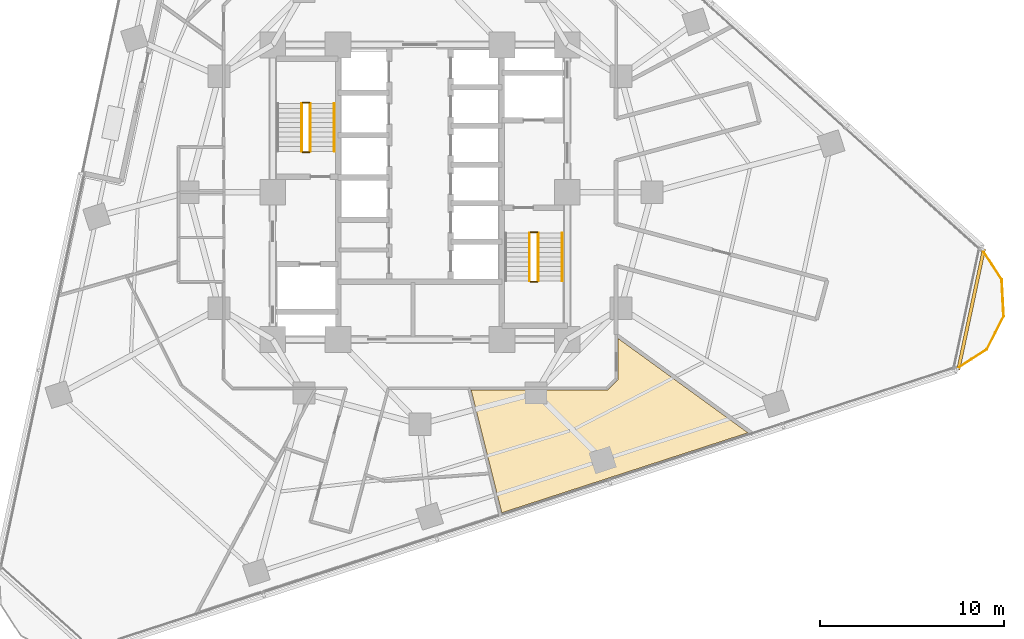
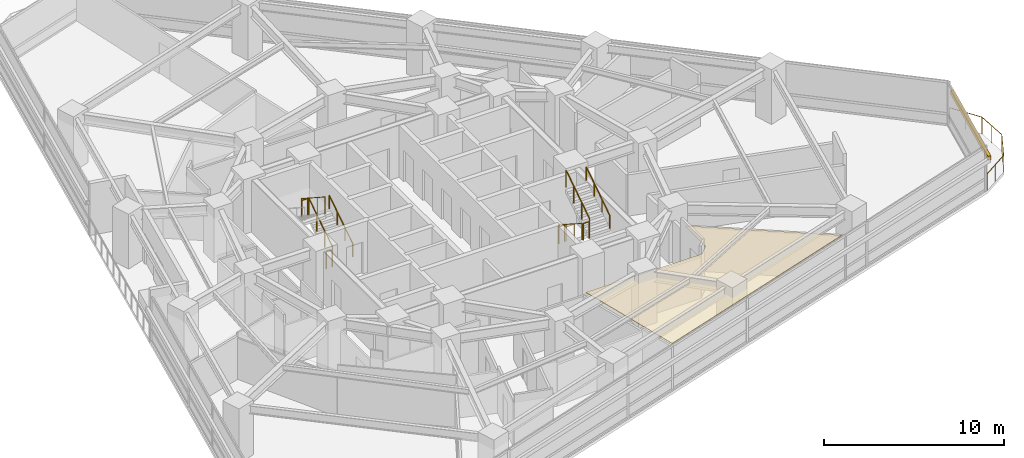
# One storey, part 13 of 14: 11 railings, 1 covering, 1 shading device.
"""IFC4 building model written with IfcOpenShell, lengths in metres."""

from ifc_helpers import new_model, si_unit, direction, frame, origin, origin_2d, place, context, subcontext, project, spatial, polyline, rectangle, circle, outline, extrude, material, layer, layer_set, type_object, element, save


model = new_model("IFC4")

# Units and contexts
model_context = context("Model", 3, precision=1e-05, world=origin(), true_north=direction((0.0, 1.0)))
body_context = subcontext(model_context, "Body", "Model", "MODEL_VIEW")
ifc_project = project(units=[si_unit("LENGTHUNIT", "METRE"), si_unit("AREAUNIT", "SQUARE_METRE"), si_unit("VOLUMEUNIT", "CUBIC_METRE"), si_unit("PLANEANGLEUNIT", "RADIAN"), si_unit("MASSUNIT", "GRAM", prefix="KILO")], contexts=[model_context])

# Site, building, storey
site_placement = place(None, origin())
site = spatial("IfcSite", under=ifc_project, at=site_placement, CompositionType="ELEMENT")
building_placement = place(site_placement, origin())
building = spatial("IfcBuilding", under=site, at=building_placement, Name="Terralouvre Media Tower", CompositionType="ELEMENT")
storey_placement = place(building_placement, frame((0.0, 0.0, 97.699951171875)))
storey = spatial("IfcBuildingStorey", under=building, at=storey_placement, Name="L24", CompositionType="ELEMENT", Elevation=97.699951171875)

# Covering
ifc_material_1 = material(Name="Perforated aluminium acoustic ceiling baffle", Category="aluminium")
ifc_layer_1 = layer(ifc_material_1, 0.0400390625, Name="Perforated Acoustic Metal Tile Ceiling CL-AC1")
ifc_layer_set_1 = layer_set([ifc_layer_1], Name="Perforated aluminium acoustic ceiling baffle")
covering_type = type_object("IfcCoveringType", Name="Perforated Acoustic Metal Tile Ceiling CL-AC1", PredefinedType="CEILING", material=ifc_layer_set_1)
covering_placement = place(storey_placement, frame((0.0, 0.0, 2.97998046875), z_axis=(0.0, 0.0, 1.0), x_axis=(0.951056516295, 0.309016994375, 0.0)))
element("IfcCovering", 1, at=covering_placement, inside=storey, type_object=covering_type, Name="L24 Post Schedule Office 7 Acoustic Ceiling", PredefinedType="CEILING", context=body_context, shape_type="SweptSolid", body=[
    extrude(outline(polyline([(7.08740234375, -12.97509765625), (7.083740234375, -12.984375), (7.07958984375, -12.9931640625), (7.07421875, -13.00146484375), (7.068359375, -13.00927734375), (7.0615234375, -13.016357421875), (7.05419921875, -13.022705078125), (7.046142578125, -13.0283203125), (7.03759765625, -13.033447265625), (6.407470703125, -13.354248046875), (6.398681640625, -13.3583984375), (6.389404296875, -13.361572265625), (6.379638671875, -13.36376953125), (6.3701171875, -13.364990234375), (6.360107421875, -13.365234375), (6.350341796875, -13.364501953125), (6.3408203125, -13.363037109375), (6.331298828125, -13.3603515625), (-0.675048828125, -11.083740234375), (-0.996826171875, -15.69189453125), (-1.153564453125, -17.931884765625), (12.90478515625, -17.931884765625), (7.77197265625, -10.867919921875), (7.08740234375, -12.97509765625)])), origin(), (0.0, 0.0, 1.0), 0.0400390625),
])

# Railings
ifc_material_2 = material(Name="Stainless steel 316 handrail and balustrade", Category="steel")
ifc_layer_2 = layer(ifc_material_2, 0.06005859375, Name="Roof Edge Safety Guardrail GR-ROOF1")
ifc_layer_set_2 = layer_set([ifc_layer_2], Name="Stainless steel 316 handrail and balustrade")
railing_type_1 = type_object("IfcRailingType", Name="Roof Edge Safety Guardrail GR-ROOF1", PredefinedType="GUARDRAIL", material=ifc_layer_set_2)
railing_1_placement = place(storey_placement, frame((29.105224609375, -9.6201171875, 0.0)))
element("IfcRailing", 2, at=railing_1_placement, inside=storey, type_object=railing_type_1, Name="L24 Wind-Corner Perimeter Safety Guardrail C1", PredefinedType="GUARDRAIL", context=body_context, shape_type="SweptSolid", body=[
    extrude(circle(Radius=0.02099609375, at=origin_2d()), frame((0.0, 0.0, 1.12890625), z_axis=(0.838760176544, 0.544501025016, 0.0), x_axis=(-0.544501025016, 0.838760176544, 0.0)), (0.0, 0.0, 1.0), 2.0078125),
    extrude(circle(Radius=0.02099609375, at=origin_2d()), frame((1.68408203125, 1.09326171875, 1.12890625), z_axis=(0.454107952828, 0.890946669099, 0.0), x_axis=(-0.890946669099, 0.454107952828, 0.0)), (0.0, 0.0, 1.0), 2.007568359375),
    extrude(circle(Radius=0.02099609375, at=origin_2d()), frame((2.595703125, 2.8818359375, 1.12890625), z_axis=(-0.052412032372, 0.998625544868, 0.0), x_axis=(-0.998625544868, -0.052412032372, 0.0)), (0.0, 0.0, 1.0), 2.007568359375),
    extrude(circle(Radius=0.02099609375, at=origin_2d()), frame((2.490478515625, 4.88671875, 1.12890625), z_axis=(-0.544868673015, 0.838521394579, 0.0), x_axis=(-0.838521394579, -0.544868673015, 0.0)), (0.0, 0.0, 1.0), 2.0078125),
    extrude(circle(Radius=0.01904296875, at=origin_2d()), origin(), (0.0, 0.0, 1.0), 1.10791015625),
    extrude(circle(Radius=0.01904296875, at=origin_2d()), frame((0.842041015625, 0.546630859375, 0.0)), (0.0, 0.0, 1.0), 1.10791015625),
    extrude(circle(Radius=0.01904296875, at=origin_2d()), frame((1.68408203125, 1.09326171875, 0.0)), (0.0, 0.0, 1.0), 1.10791015625),
    extrude(circle(Radius=0.01904296875, at=origin_2d()), frame((2.139892578125, 1.987548828125, 0.0)), (0.0, 0.0, 1.0), 1.10791015625),
    extrude(circle(Radius=0.01904296875, at=origin_2d()), frame((2.595703125, 2.8818359375, 0.0)), (0.0, 0.0, 1.0), 1.10791015625),
    extrude(circle(Radius=0.01904296875, at=origin_2d()), frame((2.54296875, 3.88427734375, 0.0)), (0.0, 0.0, 1.0), 1.10791015625),
    extrude(circle(Radius=0.01904296875, at=origin_2d()), frame((2.490478515625, 4.88671875, 0.0)), (0.0, 0.0, 1.0), 1.10791015625),
    extrude(circle(Radius=0.01904296875, at=origin_2d()), frame((1.943359375, 5.728515625, 0.0)), (0.0, 0.0, 1.0), 1.10791015625),
    extrude(circle(Radius=0.01904296875, at=origin_2d()), frame((1.396484375, 6.5703125, 0.0)), (0.0, 0.0, 1.0), 1.10791015625),
])
ifc_material_3 = material(Name="Stainless steel 316 handrail and balustrade", Category="steel")
ifc_layer_3 = layer(ifc_material_3, 0.050048828125, Name="Stair Flight Wall Handrail HR-INT1")
ifc_layer_set_3 = layer_set([ifc_layer_3], Name="Stainless steel 316 handrail and balustrade")
railing_type_2 = type_object("IfcRailingType", Name="Stair Flight Wall Handrail HR-INT1", PredefinedType="HANDRAIL", material=ifc_layer_set_3)
railing_2_placement = place(storey_placement, frame((-4.64990234375, 2.219970703125, 0.168212890625)))
element("IfcRailing", 3, at=railing_2_placement, inside=storey, type_object=railing_type_2, Name="L24 ST-01 stair handrail 1", PredefinedType="HANDRAIL", context=body_context, shape_type="SweptSolid", body=[
    extrude(circle(Radius=0.02392578125, at=origin_2d()), frame((0.0, 0.0, 0.8759765625), z_axis=(0.0, 0.839648411786, 0.543130320075), x_axis=(-1.0, 0.0, 0.0)), (0.0, 0.0, 1.0), 3.0966796875),
    extrude(circle(Radius=0.02099609375, at=origin_2d()), origin(), (0.0, 0.0, 1.0), 0.851806640625),
    extrude(circle(Radius=0.02099609375, at=origin_2d()), frame((0.0, 0.86669921875, 0.560546875)), (0.0, 0.0, 1.0), 0.851806640625),
    extrude(circle(Radius=0.02099609375, at=origin_2d()), frame((0.0, 1.7333984375, 1.121337890625)), (0.0, 0.0, 1.0), 0.851806640625),
    extrude(circle(Radius=0.02099609375, at=origin_2d()), frame((0.0, 2.60009765625, 1.681884765625)), (0.0, 0.0, 1.0), 0.851806640625),
])
railing_3_placement = place(storey_placement, frame((7.72998046875, -4.820068359375, 2.018310546875)))
element("IfcRailing", 4, at=railing_3_placement, inside=storey, type_object=railing_type_2, Name="L24 ST-02 stair handrail 2", PredefinedType="HANDRAIL", context=body_context, shape_type="SweptSolid", body=[
    extrude(circle(Radius=0.02392578125, at=origin_2d()), frame((0.0, 0.0, 0.8759765625), z_axis=(0.0, 0.839684365666, 0.543074733399), x_axis=(-1.0, 0.0, 0.0)), (0.0, 0.0, 1.0), 3.096435546875),
    extrude(circle(Radius=0.02099609375, at=origin_2d()), origin(), (0.0, 0.0, 1.0), 0.851806640625),
    extrude(circle(Radius=0.02099609375, at=origin_2d()), frame((0.0, 0.86669921875, 0.560546875)), (0.0, 0.0, 1.0), 0.851806640625),
    extrude(circle(Radius=0.02099609375, at=origin_2d()), frame((0.0, 1.7333984375, 1.12109375)), (0.0, 0.0, 1.0), 0.851806640625),
    extrude(circle(Radius=0.02099609375, at=origin_2d()), frame((0.0, 2.60009765625, 1.681640625)), (0.0, 0.0, 1.0), 0.851806640625),
])
ifc_material_4 = material(Name="Stainless steel 316 handrail and balustrade", Category="steel")
ifc_layer_4 = layer(ifc_material_4, 0.050048828125, Name="Stairwell Safety Guardrail GR-INT1")
ifc_layer_set_4 = layer_set([ifc_layer_4], Name="Stainless steel 316 handrail and balustrade")
railing_type_3 = type_object("IfcRailingType", Name="Stairwell Safety Guardrail GR-INT1", PredefinedType="GUARDRAIL", material=ifc_layer_set_4)
railing_4_placement = place(storey_placement, frame((-5.949951171875, 2.219970703125, 0.168212890625)))
element("IfcRailing", 5, at=railing_4_placement, inside=storey, type_object=railing_type_3, Name="L24 ST-01 stair guard 1", PredefinedType="GUARDRAIL", context=body_context, shape_type="SweptSolid", body=[
    extrude(circle(Radius=0.02392578125, at=origin_2d()), frame((0.0, 0.0, 1.1259765625), z_axis=(0.0, 0.839648411786, 0.543130320075), x_axis=(-1.0, 0.0, 0.0)), (0.0, 0.0, 1.0), 3.0966796875),
    extrude(circle(Radius=0.02099609375, at=origin_2d()), origin(), (0.0, 0.0, 1.0), 1.101806640625),
    extrude(circle(Radius=0.02099609375, at=origin_2d()), frame((0.0, 0.86669921875, 0.560546875)), (0.0, 0.0, 1.0), 1.101806640625),
    extrude(circle(Radius=0.02099609375, at=origin_2d()), frame((0.0, 1.7333984375, 1.121337890625)), (0.0, 0.0, 1.0), 1.101806640625),
    extrude(circle(Radius=0.02099609375, at=origin_2d()), frame((0.0, 2.60009765625, 1.681884765625)), (0.0, 0.0, 1.0), 1.101806640625),
])
railing_5_placement = place(storey_placement, frame((-6.0, 4.8701171875, 1.85009765625)))
element("IfcRailing", 6, at=railing_5_placement, inside=storey, type_object=railing_type_3, Name="L24 ST-01 stair guard 2", PredefinedType="GUARDRAIL", context=body_context, shape_type="SweptSolid", body=[
    extrude(circle(Radius=0.02392578125, at=origin_2d()), frame((0.0, 0.0, 1.1259765625), z_axis=(-1.0, 0.0, 0.0), x_axis=(0.0, -1.0, 0.0)), (0.0, 0.0, 1.0), 0.3798828125),
    extrude(circle(Radius=0.02099609375, at=origin_2d()), origin(), (0.0, 0.0, 1.0), 1.101806640625),
    extrude(circle(Radius=0.02099609375, at=origin_2d()), frame((-0.3798828125, 0.0, 0.0)), (0.0, 0.0, 1.0), 1.101806640625),
])
railing_6_placement = place(storey_placement, frame((-6.429931640625, 4.820068359375, 2.018310546875)))
element("IfcRailing", 7, at=railing_6_placement, inside=storey, type_object=railing_type_3, Name="L24 ST-01 stair guard 3", PredefinedType="GUARDRAIL", context=body_context, shape_type="SweptSolid", body=[
    extrude(circle(Radius=0.02392578125, at=origin_2d()), frame((0.0, 0.0, 1.1259765625), z_axis=(0.0, -0.839684365666, 0.543074733399), x_axis=(1.0, 0.0, 0.0)), (0.0, 0.0, 1.0), 3.096435546875),
    extrude(circle(Radius=0.02099609375, at=origin_2d()), origin(), (0.0, 0.0, 1.0), 1.101806640625),
    extrude(circle(Radius=0.02099609375, at=origin_2d()), frame((0.0, -0.86669921875, 0.560546875)), (0.0, 0.0, 1.0), 1.101806640625),
    extrude(circle(Radius=0.02099609375, at=origin_2d()), frame((0.0, -1.7333984375, 1.12109375)), (0.0, 0.0, 1.0), 1.101806640625),
    extrude(circle(Radius=0.02099609375, at=origin_2d()), frame((0.0, -2.60009765625, 1.681640625)), (0.0, 0.0, 1.0), 1.101806640625),
])
railing_7_placement = place(storey_placement, frame((-6.0, 2.169921875, 0.0)))
element("IfcRailing", 8, at=railing_7_placement, inside=storey, type_object=railing_type_3, Name="L24 ST-01 stair guard 4", PredefinedType="GUARDRAIL", context=body_context, shape_type="SweptSolid", body=[
    extrude(circle(Radius=0.02392578125, at=origin_2d()), frame((0.0, 0.0, 1.1259765625), z_axis=(-1.0, 0.0, 0.0), x_axis=(0.0, -1.0, 0.0)), (0.0, 0.0, 1.0), 0.3798828125),
    extrude(circle(Radius=0.02099609375, at=origin_2d()), origin(), (0.0, 0.0, 1.0), 1.101806640625),
    extrude(circle(Radius=0.02099609375, at=origin_2d()), frame((-0.3798828125, 0.0, 0.0)), (0.0, 0.0, 1.0), 1.101806640625),
])
railing_8_placement = place(storey_placement, frame((5.949951171875, -2.219970703125, 0.168212890625)))
element("IfcRailing", 9, at=railing_8_placement, inside=storey, type_object=railing_type_3, Name="L24 ST-02 stair guard 1", PredefinedType="GUARDRAIL", context=body_context, shape_type="SweptSolid", body=[
    extrude(circle(Radius=0.02392578125, at=origin_2d()), frame((0.0, 0.0, 1.1259765625), z_axis=(0.0, -0.839648411786, 0.543130320075), x_axis=(1.0, 0.0, 0.0)), (0.0, 0.0, 1.0), 3.0966796875),
    extrude(circle(Radius=0.02099609375, at=origin_2d()), origin(), (0.0, 0.0, 1.0), 1.101806640625),
    extrude(circle(Radius=0.02099609375, at=origin_2d()), frame((0.0, -0.86669921875, 0.560546875)), (0.0, 0.0, 1.0), 1.101806640625),
    extrude(circle(Radius=0.02099609375, at=origin_2d()), frame((0.0, -1.7333984375, 1.121337890625)), (0.0, 0.0, 1.0), 1.101806640625),
    extrude(circle(Radius=0.02099609375, at=origin_2d()), frame((0.0, -2.60009765625, 1.681884765625)), (0.0, 0.0, 1.0), 1.101806640625),
])
railing_9_placement = place(storey_placement, frame((6.0, -4.8701171875, 1.85009765625)))
element("IfcRailing", 10, at=railing_9_placement, inside=storey, type_object=railing_type_3, Name="L24 ST-02 stair guard 2", PredefinedType="GUARDRAIL", context=body_context, shape_type="SweptSolid", body=[
    extrude(circle(Radius=0.02392578125, at=origin_2d()), frame((0.0, 0.0, 1.1259765625), z_axis=(1.0, 0.0, 0.0), x_axis=(0.0, 1.0, 0.0)), (0.0, 0.0, 1.0), 0.3798828125),
    extrude(circle(Radius=0.02099609375, at=origin_2d()), origin(), (0.0, 0.0, 1.0), 1.101806640625),
    extrude(circle(Radius=0.02099609375, at=origin_2d()), frame((0.3798828125, 0.0, 0.0)), (0.0, 0.0, 1.0), 1.101806640625),
])
railing_10_placement = place(storey_placement, frame((6.429931640625, -4.820068359375, 2.018310546875)))
element("IfcRailing", 11, at=railing_10_placement, inside=storey, type_object=railing_type_3, Name="L24 ST-02 stair guard 3", PredefinedType="GUARDRAIL", context=body_context, shape_type="SweptSolid", body=[
    extrude(circle(Radius=0.02392578125, at=origin_2d()), frame((0.0, 0.0, 1.1259765625), z_axis=(0.0, 0.839684365666, 0.543074733399), x_axis=(-1.0, 0.0, 0.0)), (0.0, 0.0, 1.0), 3.096435546875),
    extrude(circle(Radius=0.02099609375, at=origin_2d()), origin(), (0.0, 0.0, 1.0), 1.101806640625),
    extrude(circle(Radius=0.02099609375, at=origin_2d()), frame((0.0, 0.86669921875, 0.560546875)), (0.0, 0.0, 1.0), 1.101806640625),
    extrude(circle(Radius=0.02099609375, at=origin_2d()), frame((0.0, 1.7333984375, 1.12109375)), (0.0, 0.0, 1.0), 1.101806640625),
    extrude(circle(Radius=0.02099609375, at=origin_2d()), frame((0.0, 2.60009765625, 1.681640625)), (0.0, 0.0, 1.0), 1.101806640625),
])
railing_11_placement = place(storey_placement, frame((6.0, -2.169921875, 0.0)))
element("IfcRailing", 12, at=railing_11_placement, inside=storey, type_object=railing_type_3, Name="L24 ST-02 stair guard 4", PredefinedType="GUARDRAIL", context=body_context, shape_type="SweptSolid", body=[
    extrude(circle(Radius=0.02392578125, at=origin_2d()), frame((0.0, 0.0, 1.1259765625), z_axis=(1.0, 0.0, 0.0), x_axis=(0.0, 1.0, 0.0)), (0.0, 0.0, 1.0), 0.3798828125),
    extrude(circle(Radius=0.02099609375, at=origin_2d()), origin(), (0.0, 0.0, 1.0), 1.101806640625),
    extrude(circle(Radius=0.02099609375, at=origin_2d()), frame((0.3798828125, 0.0, 0.0)), (0.0, 0.0, 1.0), 1.101806640625),
])

# Shading device
ifc_material_5 = material(Name="Extruded terracotta baguette sunshade louvres", Category="masonry")
shading_device_type = type_object("IfcShadingDeviceType", Name="Terracotta Baguette Sunshade Louvre Screen TB-LV1", PredefinedType="USERDEFINED", material=ifc_material_5)
shading_device_placement = place(storey_placement, frame((29.935302734375, -6.363037109375, 2.02392578125), z_axis=(0.0, 0.0, 1.0), x_axis=(0.207911611348, 0.978147617626, 0.0)))
element("IfcShadingDevice", 13, at=shading_device_placement, inside=storey, type_object=shading_device_type, Name="CW-L24-C1 Terracotta Baguette Sunshade Louvre", ObjectType="BAGUETTE", PredefinedType="USERDEFINED", context=body_context, shape_type="SweptSolid", body=[
    extrude(rectangle(XDim=6.720458984375, YDim=0.179931640625, at=origin_2d()), origin(), (0.0, 0.0, 1.0), 0.280029296875),
])

save(model, "model.ifc")
